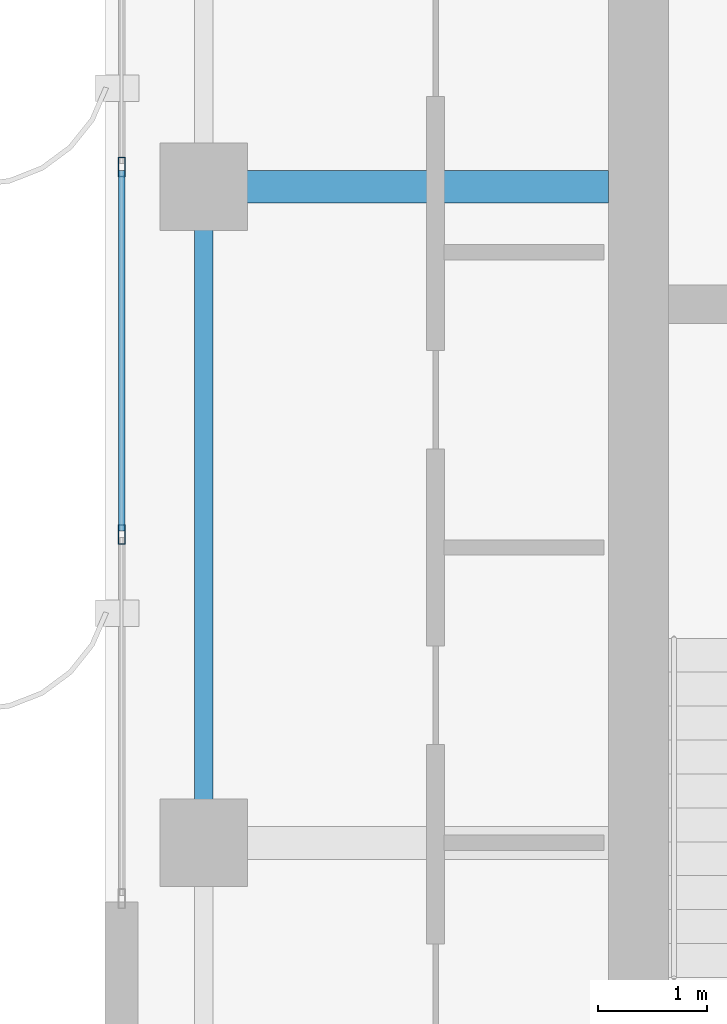
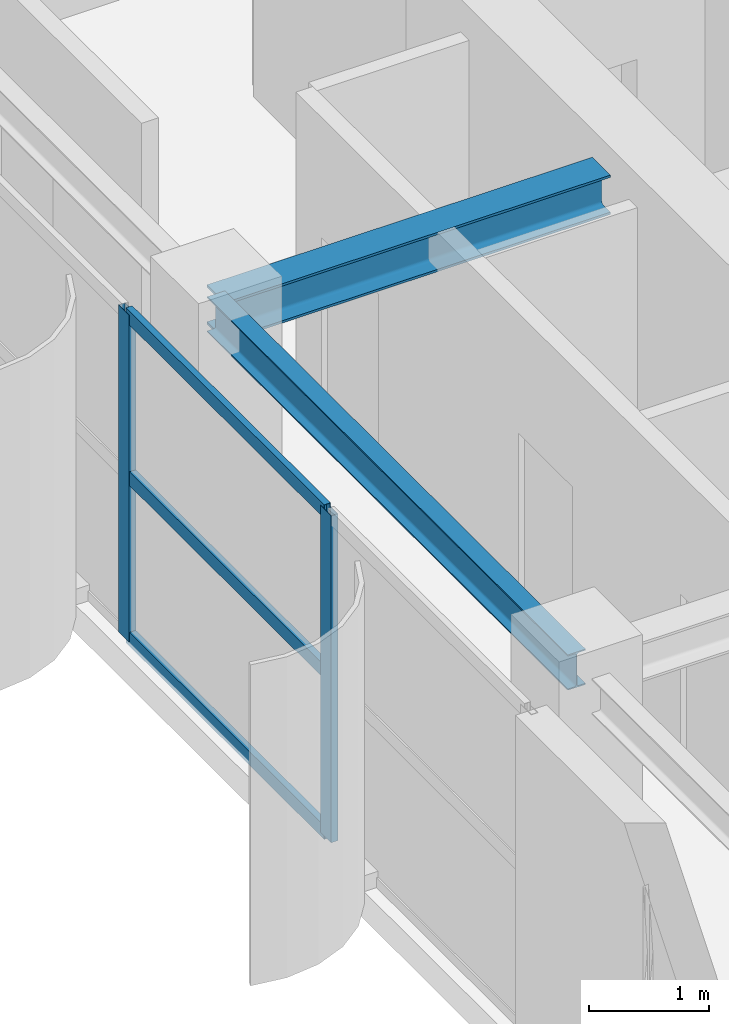
# One storey, part 8 of 23: 5 members, 2 beams, 1 element without a shape of its own.
"""IFC4 building model written with IfcOpenShell, lengths in metres."""

from ifc_helpers import new_model, si_unit, direction, frame, origin, origin_2d, place, context, subcontext, project, spatial, hollow_rectangle, i_section, extrude, source, transform, mapped, material, layer, layer_set, material_profile, profile_set, type_object, element, aggregate, save


model = new_model("IFC4")

# Units and contexts
model_context = context("Model", 3, precision=1e-05, world=origin(), true_north=direction((0.0, 1.0)))
body_context = subcontext(model_context, "Body", "Model", "MODEL_VIEW")
ifc_project = project(units=[si_unit("LENGTHUNIT", "METRE"), si_unit("AREAUNIT", "SQUARE_METRE"), si_unit("VOLUMEUNIT", "CUBIC_METRE"), si_unit("PLANEANGLEUNIT", "RADIAN"), si_unit("MASSUNIT", "GRAM", prefix="KILO")], contexts=[model_context])

# Site, building, storey
site_placement = place(None, origin())
site = spatial("IfcSite", under=ifc_project, at=site_placement, CompositionType="ELEMENT")
building_placement = place(site_placement, origin())
building = spatial("IfcBuilding", under=site, at=building_placement, Name="Khoralis Quay Care Tower", CompositionType="ELEMENT")
storey_placement = place(building_placement, frame((0.0, 0.0, 270.89990234375)))
storey = spatial("IfcBuildingStorey", under=building, at=storey_placement, Name="L71", CompositionType="ELEMENT", Elevation=270.89990234375)

# Beams
ifc_material_1 = material(Name="Steel S355", Category="steel")
ifc_material_profile_1 = material_profile(ifc_material_1, i_section(OverallWidth=0.169921875, OverallDepth=0.360107421875, WebThickness=0.008056640625, FlangeThickness=0.0126953125, FilletRadius=0.01806640625, at=origin_2d()), Name="Steel S355")
ifc_profile_set_1 = profile_set([ifc_material_profile_1], Name="Steel S355")
beam_type_1 = type_object("IfcBeamType", Name="BM-IPE360", PredefinedType="SPANDREL", material=ifc_profile_set_1)
shared_shape_1 = source(origin(), body_context, "Body", "SweptSolid", [
    extrude(i_section(OverallWidth=0.169921875, OverallDepth=0.360107421875, WebThickness=0.008056640625, FlangeThickness=0.0126953125, FilletRadius=0.01806640625, at=origin_2d()), origin(), (0.0, 0.0, 1.0), 6.0),
])
beam_1_placement = place(storey_placement, frame((3.89990234375, 18.0, 3.14013671875), z_axis=(0.0, 1.0, 0.0), x_axis=(-1.0, 0.0, 0.0)))
element("IfcBeam", 1, at=beam_1_placement, inside=storey, type_object=beam_type_1, Name="BM-TSP-L71-10", PredefinedType="SPANDREL", context=body_context, shape_type="MappedRepresentation", body=[
    mapped(shared_shape_1, transform((0.0, 0.0, 0.0), scale=1.0)),
])
ifc_material_profile_2 = material_profile(ifc_material_1, i_section(OverallWidth=0.300048828125, OverallDepth=0.39990234375, WebThickness=0.013427734375, FlangeThickness=0.02392578125, FilletRadius=0.027099609375, at=origin_2d()), Name="Steel S355")
ifc_profile_set_2 = profile_set([ifc_material_profile_2], Name="Steel S355")
beam_type_2 = type_object("IfcBeamType", Name="BM-HEB400", PredefinedType="BEAM", material=ifc_profile_set_2)
shared_shape_2 = source(origin(), body_context, "Body", "SweptSolid", [
    extrude(i_section(OverallWidth=0.300048828125, OverallDepth=0.39990234375, WebThickness=0.013427734375, FlangeThickness=0.02392578125, FilletRadius=0.027099609375, at=origin_2d()), origin(), (0.0, 0.0, 1.0), 3.7021484375),
])
beam_2_placement = place(storey_placement, frame((3.89990234375, 24.0, 3.1201171875), z_axis=(1.0, 0.0, 0.0), x_axis=(0.0, 1.0, 0.0)))
element("IfcBeam", 2, at=beam_2_placement, inside=storey, type_object=beam_type_2, Name="BM-TGXW-L71-240", PredefinedType="BEAM", context=body_context, shape_type="MappedRepresentation", body=[
    mapped(shared_shape_2, transform((0.0, 0.0, 0.0), scale=1.0)),
])

# Curtain wall, members
ifc_material_2 = material(Name="Pale anodised aluminium", Category="aluminium")
ifc_layer = layer(ifc_material_2, 0.159912109375)
ifc_layer_set = layer_set([ifc_layer], Name="Pale anodised aluminium")
curtain_wall_type = type_object("IfcCurtainWallType", Name="CW-SYS-Z3", PredefinedType="NOTDEFINED", material=ifc_layer_set)
curtain_wall_placement = place(storey_placement, origin())
curtain_wall = element("IfcCurtainWall", 3, at=curtain_wall_placement, inside=storey, type_object=curtain_wall_type, Name="L71 Unitised Curtain Wall CW-L71-P1-E15", PredefinedType="NOTDEFINED")
ifc_material_profile_3 = material_profile(ifc_material_2, hollow_rectangle(XDim=0.06494140625, YDim=0.179931640625, WallThickness=0.00390625, at=origin_2d()), Name="Pale anodised aluminium")
ifc_profile_set_3 = profile_set([ifc_material_profile_3], Name="Pale anodised aluminium")
member_type_1 = type_object("IfcMemberType", Name="CW-MUL-180", PredefinedType="MULLION", material=ifc_profile_set_3)
shared_shape_3 = source(origin(), body_context, "Body", "SweptSolid", [
    extrude(hollow_rectangle(XDim=0.06494140625, YDim=0.179931640625, WallThickness=0.00390625, at=origin_2d()), origin(), (0.0, 0.0, 1.0), 3.320068359375),
])
member_1_placement = place(storey_placement, frame((3.14990234375, 24.179931640625, 0.0), z_axis=(0.0, 0.0, 1.0), x_axis=(1.0, 0.0, 0.0)))
member_1 = element("IfcMember", 4, at=member_1_placement, type_object=member_type_1, Name="CW3 mullion 2", PredefinedType="MULLION", context=body_context, shape_type="MappedRepresentation", body=[
    mapped(shared_shape_3, transform((0.0, 0.0, 0.0), scale=1.0)),
])
member_2_placement = place(storey_placement, frame((3.14990234375, 20.820068359375, 0.0), z_axis=(0.0, 0.0, 1.0), x_axis=(1.0, 0.0, 0.0)))
member_2 = element("IfcMember", 5, at=member_2_placement, type_object=member_type_1, Name="CW3 mullion 3", PredefinedType="MULLION", context=body_context, shape_type="MappedRepresentation", body=[
    mapped(shared_shape_3, transform((0.0, 0.0, 0.0), scale=1.0)),
])
ifc_material_profile_4 = material_profile(ifc_material_2, hollow_rectangle(XDim=0.06005859375, YDim=0.139892578125, WallThickness=0.00390625, at=origin_2d()), Name="Pale anodised aluminium")
ifc_profile_set_4 = profile_set([ifc_material_profile_4], Name="Pale anodised aluminium")
member_type_2 = type_object("IfcMemberType", Name="CW-TRN-140", PredefinedType="USERDEFINED", material=ifc_profile_set_4)
shared_shape_4 = source(origin(), body_context, "Body", "SweptSolid", [
    extrude(hollow_rectangle(XDim=0.06005859375, YDim=0.139892578125, WallThickness=0.00390625, at=origin_2d()), origin(), (0.0, 0.0, 1.0), 3.2998046875),
])
member_3_placement = place(storey_placement, frame((3.14990234375, 24.14990234375, 0.030029296875), z_axis=(0.0, -1.0, 0.0), x_axis=(1.0, 0.0, 0.0)))
member_3 = element("IfcMember", 6, at=member_3_placement, type_object=member_type_2, Name="CW3 transom 2.1", ObjectType="TRANSOM", PredefinedType="USERDEFINED", context=body_context, shape_type="MappedRepresentation", body=[
    mapped(shared_shape_4, transform((0.0, 0.0, 0.0), scale=1.0)),
])
member_4_placement = place(storey_placement, frame((3.14990234375, 24.14990234375, 1.66015625), z_axis=(0.0, -1.0, 0.0), x_axis=(1.0, 0.0, 0.0)))
member_4 = element("IfcMember", 7, at=member_4_placement, type_object=member_type_2, Name="CW3 transom 2.2", ObjectType="TRANSOM", PredefinedType="USERDEFINED", context=body_context, shape_type="MappedRepresentation", body=[
    mapped(shared_shape_4, transform((0.0, 0.0, 0.0), scale=1.0)),
])
member_5_placement = place(storey_placement, frame((3.14990234375, 24.14990234375, 3.2900390625), z_axis=(0.0, -1.0, 0.0), x_axis=(1.0, 0.0, 0.0)))
member_5 = element("IfcMember", 8, at=member_5_placement, type_object=member_type_2, Name="CW3 transom 2.3", ObjectType="TRANSOM", PredefinedType="USERDEFINED", context=body_context, shape_type="MappedRepresentation", body=[
    mapped(shared_shape_4, transform((0.0, 0.0, 0.0), scale=1.0)),
])
aggregate(curtain_wall, [member_1, member_2, member_3, member_4, member_5])

save(model, "model.ifc")
